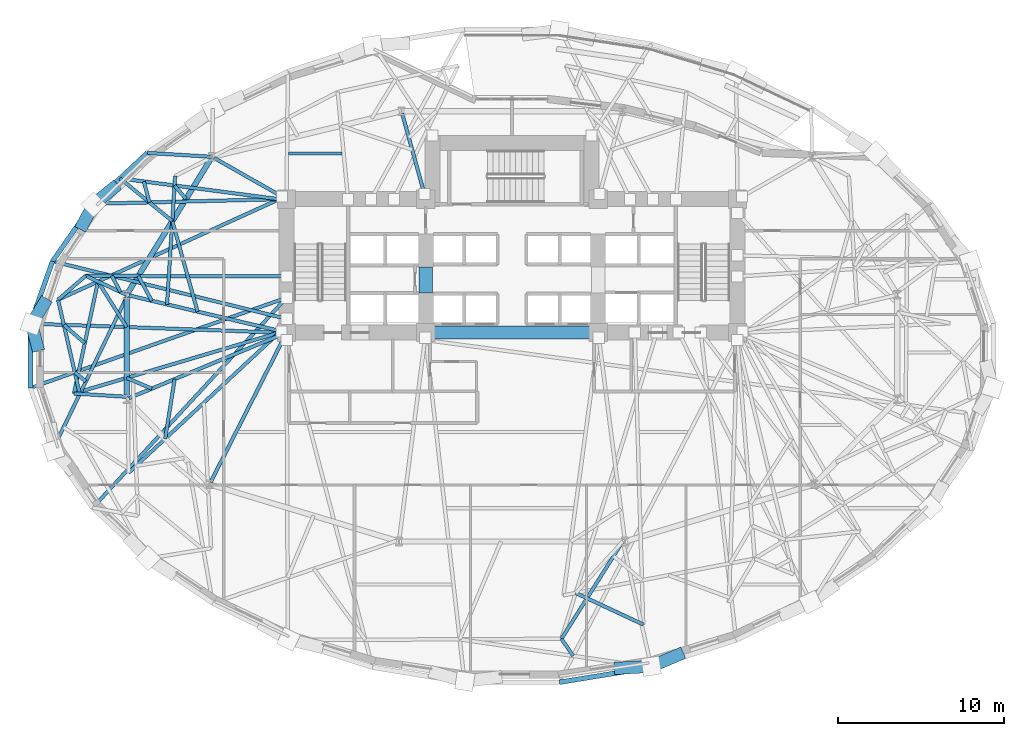
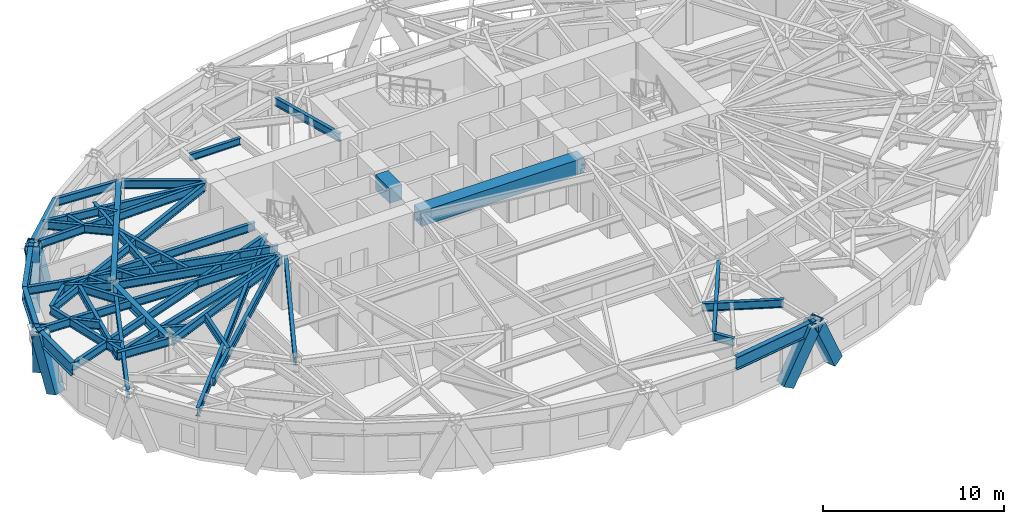
# One storey, part 2 of 15: 47 beams, 6 members.
"""IFC4 building model written with IfcOpenShell, lengths in metres."""

from ifc_helpers import new_model, si_unit, direction, frame, origin, origin_2d, place, context, subcontext, project, spatial, rectangle, hollow_rectangle, i_section, extrude, material, material_profile, profile_set, type_object, element, save


model = new_model("IFC4")

# Units and contexts
model_context = context("Model", 3, precision=1e-05, world=origin(), true_north=direction((0.0, 1.0)))
body_context = subcontext(model_context, "Body", "Model", "MODEL_VIEW")
ifc_project = project(units=[si_unit("LENGTHUNIT", "METRE"), si_unit("AREAUNIT", "SQUARE_METRE"), si_unit("VOLUMEUNIT", "CUBIC_METRE"), si_unit("PLANEANGLEUNIT", "RADIAN"), si_unit("MASSUNIT", "GRAM", prefix="KILO")], contexts=[model_context])

# Site, building, storey
site_placement = place(None, origin())
site = spatial("IfcSite", under=ifc_project, at=site_placement, CompositionType="ELEMENT")
building_placement = place(site_placement, origin())
building = spatial("IfcBuilding", under=site, at=building_placement, Name="Keldmark Tower", CompositionType="ELEMENT")
storey_placement = place(building_placement, frame((0.0, 0.0, 55.800048828125)))
storey = spatial("IfcBuildingStorey", under=building, at=storey_placement, Name="L14", CompositionType="ELEMENT", Elevation=55.800048828125)

# Beams
ifc_material_1 = material(Name="Steel ASTM A992 Grade 50", Category="steel")
ifc_material_profile_1 = material_profile(ifc_material_1, i_section(OverallWidth=0.19091796875, OverallDepth=0.45703125, WebThickness=0.009033203125, FlangeThickness=0.014404296875, at=origin_2d()), Name="W18X50")
ifc_profile_set_1 = profile_set([ifc_material_profile_1], Name="Steel ASTM A992 Grade 50")
beam_type_1 = type_object("IfcBeamType", Name="Composite Floor Joist W18X50", PredefinedType="JOIST", material=ifc_profile_set_1)
beam_1_placement = place(storey_placement, frame((-13.480224609375, 12.199951171875, 3.17138671875), z_axis=(1.0, 0.0, 0.0), x_axis=(0.0, 1.0, 0.0)))
element("IfcBeam", 1, at=beam_1_placement, inside=storey, type_object=beam_type_1, Name="L14 Composite Floor Joist J13", PredefinedType="JOIST", context=body_context, shape_type="SweptSolid", body=[
    extrude(i_section(OverallWidth=0.19091796875, OverallDepth=0.45703125, WebThickness=0.009033203125, FlangeThickness=0.014404296875, at=origin_2d()), origin(), (0.0, 0.0, 1.0), 3.225830078125),
])
ifc_material_2 = material(Name="Concrete C70/85", Category="concrete")
ifc_material_profile_2 = material_profile(ifc_material_2, rectangle(XDim=0.800048828125, YDim=1.0, at=origin_2d()), Name="RCB800X1000")
ifc_profile_set_2 = profile_set([ifc_material_profile_2], Name="Concrete C70/85")
beam_type_2 = type_object("IfcBeamType", Name="Core Coupling Beam RCB800X1000", PredefinedType="USERDEFINED", material=ifc_profile_set_2)
beam_2_placement = place(storey_placement, frame((-5.199951171875, 3.800048828125, 2.89990234375), z_axis=(0.0, 1.0, 0.0), x_axis=(-1.0, 0.0, 0.0)))
element("IfcBeam", 2, at=beam_2_placement, inside=storey, type_object=beam_type_2, Name="L14 West Core Coupling Beam", ObjectType="COUPLING BEAM", PredefinedType="USERDEFINED", context=body_context, shape_type="SweptSolid", body=[
    extrude(rectangle(XDim=0.800048828125, YDim=1.0, at=origin_2d()), origin(), (0.0, 0.0, 1.0), 1.550048828125),
])
beam_3_placement = place(storey_placement, frame((-5.199951171875, 1.39990234375, 2.89990234375), z_axis=(1.0, 0.0, 0.0), x_axis=(0.0, 1.0, 0.0)))
element("IfcBeam", 3, at=beam_3_placement, inside=storey, type_object=beam_type_2, Name="L14 Central South Core Coupling Beam", ObjectType="COUPLING BEAM", PredefinedType="USERDEFINED", context=body_context, shape_type="SweptSolid", body=[
    extrude(rectangle(XDim=0.800048828125, YDim=1.0, at=origin_2d()), origin(), (0.0, 0.0, 1.0), 10.39990234375),
])

# Members
ifc_material_3 = material(Name="Steel ASTM A572 Grade 50", Category="steel")
ifc_material_profile_3 = material_profile(ifc_material_3, hollow_rectangle(XDim=0.75, YDim=0.75, WallThickness=0.06494140625, at=origin_2d()), Name="BOX750X750X65")
ifc_profile_set_3 = profile_set([ifc_material_profile_3], Name="Steel ASTM A572 Grade 50")
member_type = type_object("IfcMemberType", Name="Diagrid Lower Brace BOX750X750X65", PredefinedType="BRACE", material=ifc_profile_set_3)
member_1_placement = place(storey_placement, frame((-24.06005859375, 10.116943359375, -0.280029296875), z_axis=(-0.308266331078, -0.253818310945, 0.916814121921), x_axis=(0.635635503745, -0.771989317529, 0.0)))
element("IfcMember", 4, at=member_1_placement, inside=storey, type_object=member_type, Name="L14 Perimeter Diagrid Brace 07A", PredefinedType="BRACE", context=body_context, shape_type="SweptSolid", body=[
    extrude(hollow_rectangle(XDim=0.75, YDim=0.75, WallThickness=0.06494140625, at=origin_2d()), origin(), (0.0, 0.0, 1.0), 3.883056640625),
])
member_2_placement = place(storey_placement, frame((-25.892578125, 7.9375, -0.280029296875), z_axis=(0.168418020672, 0.315703742171, 0.933791474309), x_axis=(-0.882303395469, 0.470681121721, 0.0)))
element("IfcMember", 5, at=member_2_placement, inside=storey, type_object=member_type, Name="L14 Perimeter Diagrid Brace 07B", PredefinedType="BRACE", context=body_context, shape_type="SweptSolid", body=[
    extrude(hollow_rectangle(XDim=0.75, YDim=0.75, WallThickness=0.06494140625, at=origin_2d()), origin(), (0.0, 0.0, 1.0), 3.8125),
])
member_3_placement = place(storey_placement, frame((-28.24560546875, 3.14453125, -0.280029296875), z_axis=(-0.19664564378, -0.31824540798, 0.927388996636), x_axis=(0.850699620762, -0.52565212378, 0.0)))
element("IfcMember", 6, at=member_3_placement, inside=storey, type_object=member_type, Name="L14 Perimeter Diagrid Brace 08A", PredefinedType="BRACE", context=body_context, shape_type="SweptSolid", body=[
    extrude(hollow_rectangle(XDim=0.75, YDim=0.75, WallThickness=0.06494140625, at=origin_2d()), origin(), (0.0, 0.0, 1.0), 3.8388671875),
])
member_4_placement = place(storey_placement, frame((-28.65380859375, 0.633056640625, -0.280029296875), z_axis=(-0.090509259011, 0.341895358277, 0.935369252232), x_axis=(-0.966699949317, -0.255912500654, 0.0)))
element("IfcMember", 7, at=member_4_placement, inside=storey, type_object=member_type, Name="L14 Perimeter Diagrid Brace 08B", PredefinedType="BRACE", context=body_context, shape_type="SweptSolid", body=[
    extrude(hollow_rectangle(XDim=0.75, YDim=0.75, WallThickness=0.06494140625, at=origin_2d()), origin(), (0.0, 0.0, 1.0), 3.80615234375),
])
member_5_placement = place(storey_placement, frame((6.494384765625, -18.8486328125, -0.280029296875), z_axis=(0.472761605962, 0.02712021989, 0.880772931919), x_axis=(-0.057271372546, 0.998358647925, 0.0)))
element("IfcMember", 8, at=member_5_placement, inside=storey, type_object=member_type, Name="L14 Perimeter Diagrid Brace 13A", PredefinedType="BRACE", context=body_context, shape_type="SweptSolid", body=[
    extrude(hollow_rectangle(XDim=0.75, YDim=0.75, WallThickness=0.06494140625, at=origin_2d()), origin(), (0.0, 0.0, 1.0), 4.0419921875),
])
member_6_placement = place(storey_placement, frame((10.026123046875, -18.052001953125, -0.280029296875), z_axis=(-0.410480286858, -0.173315263207, 0.895247314233), x_axis=(0.388974635717, -0.921248464188, 0.0)))
element("IfcMember", 9, at=member_6_placement, inside=storey, type_object=member_type, Name="L14 Perimeter Diagrid Brace 13B", PredefinedType="BRACE", context=body_context, shape_type="SweptSolid", body=[
    extrude(hollow_rectangle(XDim=0.75, YDim=0.75, WallThickness=0.06494140625, at=origin_2d()), origin(), (0.0, 0.0, 1.0), 3.9765625),
])

# Beams
ifc_material_4 = material(Name="Steel ASTM A992 Grade 50", Category="steel")
ifc_material_profile_4 = material_profile(ifc_material_4, i_section(OverallWidth=0.323974609375, OverallDepth=0.611083984375, WebThickness=0.0126953125, FlangeThickness=0.01904296875, at=origin_2d()), Name="W24X104")
ifc_profile_set_4 = profile_set([ifc_material_profile_4], Name="Steel ASTM A992 Grade 50")
beam_type_3 = type_object("IfcBeamType", Name="Primary Floor Girder W24X104", PredefinedType="BEAM", material=ifc_profile_set_4)
beam_4_placement = place(storey_placement, frame((-18.17138671875, 11.888427734375, 3.094482421875), z_axis=(-0.526318405849, -0.850287560573, 0.0), x_axis=(0.850287560573, -0.526318405849, 0.0)))
element("IfcBeam", 10, at=beam_4_placement, inside=storey, type_object=beam_type_3, Name="L14 Floor Ring Girder FG-R05", PredefinedType="BEAM", context=body_context, shape_type="SweptSolid", body=[
    extrude(i_section(OverallWidth=0.323974609375, OverallDepth=0.611083984375, WebThickness=0.0126953125, FlangeThickness=0.01904296875, at=origin_2d()), origin(), (0.0, 0.0, 1.0), 9.51708984375),
])
beam_5_placement = place(storey_placement, frame((-23.25390625, 3.537109375, 3.094482421875), z_axis=(0.0, -1.0, 0.0), x_axis=(1.0, 0.0, 0.0)))
element("IfcBeam", 11, at=beam_5_placement, inside=storey, type_object=beam_type_3, Name="L14 Floor Ring Girder FG-R06", PredefinedType="BEAM", context=body_context, shape_type="SweptSolid", body=[
    extrude(i_section(OverallWidth=0.323974609375, OverallDepth=0.611083984375, WebThickness=0.0126953125, FlangeThickness=0.01904296875, at=origin_2d()), origin(), (0.0, 0.0, 1.0), 6.01025390625),
])
ifc_material_5 = material(Name="Steel ASTM A992 Grade 50", Category="steel")
ifc_material_profile_5 = material_profile(ifc_material_5, i_section(OverallWidth=0.2099609375, OverallDepth=0.537109375, WebThickness=0.010986328125, FlangeThickness=0.017333984375, at=origin_2d()), Name="W21X68")
ifc_profile_set_5 = profile_set([ifc_material_profile_5], Name="Steel ASTM A992 Grade 50")
beam_type_4 = type_object("IfcBeamType", Name="Radial Tie Girder W21X68", PredefinedType="BEAM", material=ifc_profile_set_5)
beam_6_placement = place(storey_placement, frame((-18.974853515625, 2.66796875, 3.13134765625), z_axis=(-0.268585299903, 0.963255904044, 0.0), x_axis=(-0.963255904044, -0.268585299903, 0.0)))
element("IfcBeam", 12, at=beam_6_placement, inside=storey, type_object=beam_type_4, Name="L14 Framing Pin Header PH-006", PredefinedType="BEAM", context=body_context, shape_type="SweptSolid", body=[
    extrude(i_section(OverallWidth=0.2099609375, OverallDepth=0.537109375, WebThickness=0.010986328125, FlangeThickness=0.017333984375, at=origin_2d()), origin(), (0.0, 0.0, 1.0), 5.670166015625),
])
beam_7_placement = place(storey_placement, frame((-20.816162109375, 3.102294921875, 3.13134765625), z_axis=(0.063210769608, 0.998000199702, 0.0), x_axis=(-0.998000199702, 0.063210769608, 0.0)))
element("IfcBeam", 13, at=beam_7_placement, inside=storey, type_object=beam_type_4, Name="L14 Sub-Ring Step Girder STP1-M06", PredefinedType="BEAM", context=body_context, shape_type="SweptSolid", body=[
    extrude(i_section(OverallWidth=0.2099609375, OverallDepth=0.537109375, WebThickness=0.010986328125, FlangeThickness=0.017333984375, at=origin_2d()), origin(), (0.0, 0.0, 1.0), 7.759521484375),
])
beam_8_placement = place(storey_placement, frame((-18.09765625, 12.00732421875, 3.13134765625), z_axis=(-0.998169637289, 0.060476236613, 0.0), x_axis=(-0.060476236613, -0.998169637289, 0.0)))
element("IfcBeam", 14, at=beam_8_placement, inside=storey, type_object=beam_type_4, Name="L14 Perimeter Column Bracket RT-13", PredefinedType="BEAM", context=body_context, shape_type="SweptSolid", body=[
    extrude(i_section(OverallWidth=0.2099609375, OverallDepth=0.537109375, WebThickness=0.010986328125, FlangeThickness=0.017333984375, at=origin_2d()), origin(), (0.0, 0.0, 1.0), 3.915771484375),
])
beam_9_placement = place(storey_placement, frame((-19.674072265625, 9.460693359375, 3.13134765625), z_axis=(-0.644833331212, 0.764323213672, 0.0), x_axis=(-0.764323213672, -0.644833331212, 0.0)))
element("IfcBeam", 15, at=beam_9_placement, inside=storey, type_object=beam_type_4, Name="L14 Framing Pin Header PH-021", PredefinedType="BEAM", context=body_context, shape_type="SweptSolid", body=[
    extrude(i_section(OverallWidth=0.2099609375, OverallDepth=0.537109375, WebThickness=0.010986328125, FlangeThickness=0.017333984375, at=origin_2d()), origin(), (0.0, 0.0, 1.0), 1.066650390625),
])
beam_10_placement = place(storey_placement, frame((-14.050048828125, 9.449951171875, 3.13134765625), z_axis=(-0.991546779624, 0.129749696792, 0.0), x_axis=(-0.129749696792, -0.991546779624, 0.0)))
element("IfcBeam", 16, at=beam_10_placement, inside=storey, type_object=beam_type_4, Name="L14 Intermediate Radial Step Girder RT-14M", PredefinedType="BEAM", context=body_context, shape_type="SweptSolid", body=[
    extrude(i_section(OverallWidth=0.2099609375, OverallDepth=0.537109375, WebThickness=0.010986328125, FlangeThickness=0.017333984375, at=origin_2d()), origin(), (0.0, 0.0, 1.0), 9.6865234375),
])
beam_11_placement = place(storey_placement, frame((-20.497802734375, 8.1298828125, 3.13134765625), z_axis=(-0.77468815192, 0.632343472548, 0.0), x_axis=(-0.632343472548, -0.77468815192, 0.0)))
element("IfcBeam", 17, at=beam_11_placement, inside=storey, type_object=beam_type_4, Name="L14 Local Collector Chord RT-14C", PredefinedType="BEAM", context=body_context, shape_type="SweptSolid", body=[
    extrude(i_section(OverallWidth=0.2099609375, OverallDepth=0.537109375, WebThickness=0.010986328125, FlangeThickness=0.017333984375, at=origin_2d()), origin(), (0.0, 0.0, 1.0), 4.0751953125),
])
beam_12_placement = place(storey_placement, frame((-22.214111328125, 10.518310546875, 3.13134765625), z_axis=(0.258359714139, -0.96604878661, 0.0), x_axis=(0.96604878661, 0.258359714139, 0.0)))
element("IfcBeam", 18, at=beam_12_placement, inside=storey, type_object=beam_type_4, Name="L14 Framing Pin Header PH-022", PredefinedType="BEAM", context=body_context, shape_type="SweptSolid", body=[
    extrude(i_section(OverallWidth=0.2099609375, OverallDepth=0.537109375, WebThickness=0.010986328125, FlangeThickness=0.017333984375, at=origin_2d()), origin(), (0.0, 0.0, 1.0), 1.307861328125),
])
beam_13_placement = place(storey_placement, frame((-14.050048828125, 9.449951171875, 3.13134765625), z_axis=(-0.999689459012, -0.024919581473, 0.0), x_axis=(0.024919581473, -0.999689459012, 0.0)))
element("IfcBeam", 19, at=beam_13_placement, inside=storey, type_object=beam_type_4, Name="L14 Perimeter Radial Tie Girder RT-14", PredefinedType="BEAM", context=body_context, shape_type="SweptSolid", body=[
    extrude(i_section(OverallWidth=0.2099609375, OverallDepth=0.537109375, WebThickness=0.010986328125, FlangeThickness=0.017333984375, at=origin_2d()), origin(), (0.0, 0.0, 1.0), 11.2568359375),
])
beam_14_placement = place(storey_placement, frame((-21.73681640625, 3.3193359375, 3.13134765625), z_axis=(-0.476781814176, 0.879021673038, 0.0), x_axis=(-0.879021673038, -0.476781814176, 0.0)))
element("IfcBeam", 20, at=beam_14_placement, inside=storey, type_object=beam_type_4, Name="L14 Framing Pin Header PH-023", PredefinedType="BEAM", context=body_context, shape_type="SweptSolid", body=[
    extrude(i_section(OverallWidth=0.2099609375, OverallDepth=0.537109375, WebThickness=0.010986328125, FlangeThickness=0.017333984375, at=origin_2d()), origin(), (0.0, 0.0, 1.0), 1.703125),
])
beam_15_placement = place(storey_placement, frame((-13.60009765625, 4.78564453125, 3.13134765625), z_axis=(-0.999994076509, 0.003441939314, 0.0), x_axis=(-0.003441939314, -0.999994076509, 0.0)))
element("IfcBeam", 21, at=beam_15_placement, inside=storey, type_object=beam_type_4, Name="L14 Intermediate Radial Step Girder RT-15M", PredefinedType="BEAM", context=body_context, shape_type="SweptSolid", body=[
    extrude(i_section(OverallWidth=0.2099609375, OverallDepth=0.537109375, WebThickness=0.010986328125, FlangeThickness=0.017333984375, at=origin_2d()), origin(), (0.0, 0.0, 1.0), 12.129150390625),
])
beam_16_placement = place(storey_placement, frame((-23.25390625, 3.67724609375, 3.13134765625), z_axis=(-0.906885695278, 0.421376714711, 0.0), x_axis=(-0.421376714711, -0.906885695278, 0.0)))
element("IfcBeam", 22, at=beam_16_placement, inside=storey, type_object=beam_type_4, Name="L14 Local Collector Chord RT-15C", PredefinedType="BEAM", context=body_context, shape_type="SweptSolid", body=[
    extrude(i_section(OverallWidth=0.2099609375, OverallDepth=0.537109375, WebThickness=0.010986328125, FlangeThickness=0.017333984375, at=origin_2d()), origin(), (0.0, 0.0, 1.0), 2.7294921875),
])
beam_17_placement = place(storey_placement, frame((-23.625244140625, 3.849609375, 3.13134765625), z_axis=(-0.47277999729, 0.88118050033, 0.0), x_axis=(-0.88118050033, -0.47277999729, 0.0)))
element("IfcBeam", 23, at=beam_17_placement, inside=storey, type_object=beam_type_4, Name="L14 Framing Pin Header PH-024", PredefinedType="BEAM", context=body_context, shape_type="SweptSolid", body=[
    extrude(i_section(OverallWidth=0.2099609375, OverallDepth=0.537109375, WebThickness=0.010986328125, FlangeThickness=0.017333984375, at=origin_2d()), origin(), (0.0, 0.0, 1.0), 1.103515625),
])
beam_18_placement = place(storey_placement, frame((-13.60009765625, 2.228515625, 3.13134765625), z_axis=(-0.971074946273, 0.238774891313, 0.0), x_axis=(-0.238774891313, -0.971074946273, 0.0)))
element("IfcBeam", 24, at=beam_18_placement, inside=storey, type_object=beam_type_4, Name="L14 Perimeter Radial Tie Girder RT-15", PredefinedType="BEAM", context=body_context, shape_type="SweptSolid", body=[
    extrude(i_section(OverallWidth=0.2099609375, OverallDepth=0.537109375, WebThickness=0.010986328125, FlangeThickness=0.017333984375, at=origin_2d()), origin(), (0.0, 0.0, 1.0), 14.548828125),
])
beam_19_placement = place(storey_placement, frame((-23.25390625, 1.734130859375, 3.13134765625), z_axis=(-0.532593721617, 0.846371034296, 0.0), x_axis=(-0.846371034296, -0.532593721617, 0.0)))
element("IfcBeam", 25, at=beam_19_placement, inside=storey, type_object=beam_type_4, Name="L14 Framing Pin Header PH-025", PredefinedType="BEAM", context=body_context, shape_type="SweptSolid", body=[
    extrude(i_section(OverallWidth=0.2099609375, OverallDepth=0.537109375, WebThickness=0.010986328125, FlangeThickness=0.017333984375, at=origin_2d()), origin(), (0.0, 0.0, 1.0), 3.24462890625),
])
beam_20_placement = place(storey_placement, frame((-14.050048828125, 9.449951171875, 3.13134765625), z_axis=(-0.910342518444, -0.413855650092, 0.0), x_axis=(0.413855650092, -0.910342518444, 0.0)))
element("IfcBeam", 26, at=beam_20_placement, inside=storey, type_object=beam_type_4, Name="L14 Intermediate Radial Step Girder RT-16M", PredefinedType="BEAM", context=body_context, shape_type="SweptSolid", body=[
    extrude(i_section(OverallWidth=0.2099609375, OverallDepth=0.537109375, WebThickness=0.010986328125, FlangeThickness=0.017333984375, at=origin_2d()), origin(), (0.0, 0.0, 1.0), 14.65771484375),
])
beam_21_placement = place(storey_placement, frame((-25.729248046875, 4.827392578125, 3.13134765625), z_axis=(-0.755418452351, -0.655242674013, 0.0), x_axis=(0.655242674013, -0.755418452351, 0.0)))
element("IfcBeam", 27, at=beam_21_placement, inside=storey, type_object=beam_type_4, Name="L14 Local Collector Chord RT-16C", PredefinedType="BEAM", context=body_context, shape_type="SweptSolid", body=[
    extrude(i_section(OverallWidth=0.2099609375, OverallDepth=0.537109375, WebThickness=0.010986328125, FlangeThickness=0.017333984375, at=origin_2d()), origin(), (0.0, 0.0, 1.0), 2.203125),
])
beam_22_placement = place(storey_placement, frame((-21.740234375, -1.98388671875, 3.13134765625), z_axis=(-0.918722953971, 0.394902689086, 0.0), x_axis=(-0.394902689086, -0.918722953971, 0.0)))
element("IfcBeam", 28, at=beam_22_placement, inside=storey, type_object=beam_type_4, Name="L14 Framing Pin Header PH-026", PredefinedType="BEAM", context=body_context, shape_type="SweptSolid", body=[
    extrude(i_section(OverallWidth=0.2099609375, OverallDepth=0.537109375, WebThickness=0.010986328125, FlangeThickness=0.017333984375, at=origin_2d()), origin(), (0.0, 0.0, 1.0), 1.6474609375),
])
beam_23_placement = place(storey_placement, frame((-14.050048828125, 1.39990234375, 3.13134765625), z_axis=(-0.958626879036, -0.28466560521, 0.0), x_axis=(0.28466560521, -0.958626879036, 0.0)))
element("IfcBeam", 29, at=beam_23_placement, inside=storey, type_object=beam_type_4, Name="L14 Intermediate Radial Step Girder RT-17M", PredefinedType="BEAM", context=body_context, shape_type="SweptSolid", body=[
    extrude(i_section(OverallWidth=0.2099609375, OverallDepth=0.537109375, WebThickness=0.010986328125, FlangeThickness=0.017333984375, at=origin_2d()), origin(), (0.0, 0.0, 1.0), 12.915283203125),
])
beam_24_placement = place(storey_placement, frame((-23.25390625, -2.47314453125, 3.13134765625), z_axis=(-0.998092069219, 0.06174318879, 0.0), x_axis=(-0.06174318879, -0.998092069219, 0.0)))
element("IfcBeam", 30, at=beam_24_placement, inside=storey, type_object=beam_type_4, Name="L14 Local Collector Chord RT-17C", PredefinedType="BEAM", context=body_context, shape_type="SweptSolid", body=[
    extrude(i_section(OverallWidth=0.2099609375, OverallDepth=0.537109375, WebThickness=0.010986328125, FlangeThickness=0.017333984375, at=origin_2d()), origin(), (0.0, 0.0, 1.0), 3.18310546875),
])
beam_25_placement = place(storey_placement, frame((-27.3935546875, 3.3837890625, 3.13134765625), z_axis=(0.225259999888, -0.974298687493, 0.0), x_axis=(0.974298687493, 0.225259999888, 0.0)))
element("IfcBeam", 31, at=beam_25_placement, inside=storey, type_object=beam_type_4, Name="L14 Framing Pin Header PH-027", PredefinedType="BEAM", context=body_context, shape_type="SweptSolid", body=[
    extrude(i_section(OverallWidth=0.2099609375, OverallDepth=0.537109375, WebThickness=0.010986328125, FlangeThickness=0.017333984375, at=origin_2d()), origin(), (0.0, 0.0, 1.0), 5.83203125),
])
beam_26_placement = place(storey_placement, frame((-23.25390625, 3.537109375, 3.13134765625), z_axis=(-0.435828827215, -0.900029573608, 0.0), x_axis=(0.900029573608, -0.435828827215, 0.0)))
element("IfcBeam", 32, at=beam_26_placement, inside=storey, type_object=beam_type_4, Name="L14 Perimeter Radial Tie Girder RT-18", PredefinedType="BEAM", context=body_context, shape_type="SweptSolid", body=[
    extrude(i_section(OverallWidth=0.2099609375, OverallDepth=0.537109375, WebThickness=0.010986328125, FlangeThickness=0.017333984375, at=origin_2d()), origin(), (0.0, 0.0, 1.0), 10.265869140625),
])
beam_27_placement = place(storey_placement, frame((-20.35595703125, -1.408447265625, 3.13134765625), z_axis=(-0.157002113797, -0.987598266636, 0.0), x_axis=(0.987598266636, -0.157002113797, 0.0)))
element("IfcBeam", 33, at=beam_27_placement, inside=storey, type_object=beam_type_4, Name="L14 Framing Pin Header PH-028", PredefinedType="BEAM", context=body_context, shape_type="SweptSolid", body=[
    extrude(i_section(OverallWidth=0.2099609375, OverallDepth=0.537109375, WebThickness=0.010986328125, FlangeThickness=0.017333984375, at=origin_2d()), origin(), (0.0, 0.0, 1.0), 3.641845703125),
])
beam_28_placement = place(storey_placement, frame((-14.050048828125, 1.39990234375, 3.13134765625), z_axis=(-0.73181249228, -0.681506035295, 0.0), x_axis=(0.681506035295, -0.73181249228, 0.0)))
element("IfcBeam", 34, at=beam_28_placement, inside=storey, type_object=beam_type_4, Name="L14 Intermediate Radial Step Girder RT-19M", PredefinedType="BEAM", context=body_context, shape_type="SweptSolid", body=[
    extrude(i_section(OverallWidth=0.2099609375, OverallDepth=0.537109375, WebThickness=0.010986328125, FlangeThickness=0.017333984375, at=origin_2d()), origin(), (0.0, 0.0, 1.0), 12.4189453125),
])
beam_29_placement = place(storey_placement, frame((-13.60009765625, 3.507080078125, 3.13134765625), z_axis=(-0.678341811833, -0.734746477582, 0.0), x_axis=(0.734746477582, -0.678341811833, 0.0)))
element("IfcBeam", 35, at=beam_29_placement, inside=storey, type_object=beam_type_4, Name="L14 Perimeter Radial Tie Girder RT-19", PredefinedType="BEAM", context=body_context, shape_type="SweptSolid", body=[
    extrude(i_section(OverallWidth=0.2099609375, OverallDepth=0.537109375, WebThickness=0.010986328125, FlangeThickness=0.017333984375, at=origin_2d()), origin(), (0.0, 0.0, 1.0), 17.2529296875),
])
beam_30_placement = place(storey_placement, frame((6.68212890625, -11.205810546875, 3.13134765625), z_axis=(-0.532917771067, -0.846167033913, 0.0), x_axis=(0.846167033913, -0.532917771067, 0.0)))
element("IfcBeam", 36, at=beam_30_placement, inside=storey, type_object=beam_type_4, Name="L14 Local Collector Chord RT-25C", PredefinedType="BEAM", context=body_context, shape_type="SweptSolid", body=[
    extrude(i_section(OverallWidth=0.2099609375, OverallDepth=0.537109375, WebThickness=0.010986328125, FlangeThickness=0.017333984375, at=origin_2d()), origin(), (0.0, 0.0, 1.0), 6.939697265625),
])
beam_31_placement = place(storey_placement, frame((3.84423828125, -14.31396484375, 3.13134765625), z_axis=(0.906209522314, -0.422828927188, 0.0), x_axis=(0.422828927188, 0.906209522314, 0.0)))
element("IfcBeam", 37, at=beam_31_placement, inside=storey, type_object=beam_type_4, Name="L14 Local Collector Chord RT-26C", PredefinedType="BEAM", context=body_context, shape_type="SweptSolid", body=[
    extrude(i_section(OverallWidth=0.2099609375, OverallDepth=0.537109375, WebThickness=0.010986328125, FlangeThickness=0.017333984375, at=origin_2d()), origin(), (0.0, 0.0, 1.0), 4.49169921875),
])
beam_32_placement = place(storey_placement, frame((-24.98193359375, 4.480224609375, 3.13134765625), z_axis=(-0.209678675191, -0.977770347868, 0.0), x_axis=(0.977770347868, -0.209678675191, 0.0)))
element("IfcBeam", 38, at=beam_32_placement, inside=storey, type_object=beam_type_4, Name="L14 Straddling Support Chord RT-16RB", PredefinedType="BEAM", context=body_context, shape_type="SweptSolid", body=[
    extrude(i_section(OverallWidth=0.2099609375, OverallDepth=0.537109375, WebThickness=0.010986328125, FlangeThickness=0.017333984375, at=origin_2d()), origin(), (0.0, 0.0, 1.0), 6.910400390625),
])
beam_33_placement = place(storey_placement, frame((-25.779052734375, 0.763916015625, 3.13134765625), z_axis=(-0.753207117962, 0.657783427467, 0.0), x_axis=(-0.657783427467, -0.753207117962, 0.0)))
element("IfcBeam", 39, at=beam_33_placement, inside=storey, type_object=beam_type_4, Name="L14 Framing Pin Header PH-047", PredefinedType="BEAM", context=body_context, shape_type="SweptSolid", body=[
    extrude(i_section(OverallWidth=0.2099609375, OverallDepth=0.537109375, WebThickness=0.010986328125, FlangeThickness=0.017333984375, at=origin_2d()), origin(), (0.0, 0.0, 1.0), 1.678466796875),
])
beam_34_placement = place(storey_placement, frame((-14.050048828125, 1.39990234375, 3.13134765625), z_axis=(-0.999352645542, 0.03597624005, 0.0), x_axis=(-0.03597624005, -0.999352645542, 0.0)))
element("IfcBeam", 40, at=beam_34_placement, inside=storey, type_object=beam_type_4, Name="L14 Perimeter Radial Tie Girder RT-16R", PredefinedType="BEAM", context=body_context, shape_type="SweptSolid", body=[
    extrude(i_section(OverallWidth=0.2099609375, OverallDepth=0.537109375, WebThickness=0.010986328125, FlangeThickness=0.017333984375, at=origin_2d()), origin(), (0.0, 0.0, 1.0), 15.017822265625),
])
beam_35_placement = place(storey_placement, frame((-25.71484375, -1.544677734375, 3.13134765625), z_axis=(-0.772175388299, 0.635409450437, 0.0), x_axis=(-0.635409450437, -0.772175388299, 0.0)))
element("IfcBeam", 41, at=beam_35_placement, inside=storey, type_object=beam_type_4, Name="L14 Framing Pin Header PH-048", PredefinedType="BEAM", context=body_context, shape_type="SweptSolid", body=[
    extrude(i_section(OverallWidth=0.2099609375, OverallDepth=0.537109375, WebThickness=0.010986328125, FlangeThickness=0.017333984375, at=origin_2d()), origin(), (0.0, 0.0, 1.0), 0.8623046875),
])
beam_36_placement = place(storey_placement, frame((-13.60009765625, 3.507080078125, 3.13134765625), z_axis=(-0.943153022223, -0.332358807123, 0.0), x_axis=(0.332358807123, -0.943153022223, 0.0)))
element("IfcBeam", 42, at=beam_36_placement, inside=storey, type_object=beam_type_4, Name="L14 Perimeter Radial Tie Girder RT-17R", PredefinedType="BEAM", context=body_context, shape_type="SweptSolid", body=[
    extrude(i_section(OverallWidth=0.2099609375, OverallDepth=0.537109375, WebThickness=0.010986328125, FlangeThickness=0.017333984375, at=origin_2d()), origin(), (0.0, 0.0, 1.0), 16.3896484375),
])
beam_37_placement = place(storey_placement, frame((2.98388671875, -17.077880859375, 3.13134765625), z_axis=(0.565391572412, -0.824822629324, 0.0), x_axis=(0.824822629324, 0.565391572412, 0.0)))
element("IfcBeam", 43, at=beam_37_placement, inside=storey, type_object=beam_type_4, Name="L14 Framing Pin Header PH-052", PredefinedType="BEAM", context=body_context, shape_type="SweptSolid", body=[
    extrude(i_section(OverallWidth=0.2099609375, OverallDepth=0.537109375, WebThickness=0.010986328125, FlangeThickness=0.017333984375, at=origin_2d()), origin(), (0.0, 0.0, 1.0), 1.248779296875),
])
ifc_material_6 = material(Name="Steel ASTM A992 Grade 50", Category="steel")
ifc_material_profile_6 = material_profile(ifc_material_6, i_section(OverallWidth=0.214111328125, OverallDepth=0.549072265625, WebThickness=0.0146484375, FlangeThickness=0.023681640625, at=origin_2d()), Name="W21X93")
ifc_profile_set_6 = profile_set([ifc_material_profile_6], Name="Steel ASTM A992 Grade 50")
beam_type_5 = type_object("IfcBeamType", Name="Radial Tie Girder W21X93", PredefinedType="BEAM", material=ifc_profile_set_6)
beam_38_placement = place(storey_placement, frame((-6.6279296875, 14.625, 3.12548828125), z_axis=(0.265984786353, -0.963977226613, 0.0), x_axis=(0.963977226613, 0.265984786353, 0.0)))
element("IfcBeam", 44, at=beam_38_placement, inside=storey, type_object=beam_type_5, Name="L14 Floor Radial Girder FG-C04", PredefinedType="BEAM", context=body_context, shape_type="SweptSolid", body=[
    extrude(i_section(OverallWidth=0.214111328125, OverallDepth=0.549072265625, WebThickness=0.0146484375, FlangeThickness=0.023681640625, at=origin_2d()), origin(), (0.0, 0.0, 1.0), 5.04833984375),
])
beam_39_placement = place(storey_placement, frame((-17.97607421875, 11.938232421875, 3.12548828125), z_axis=(0.869299282131, -0.494286109542, 0.0), x_axis=(0.494286109542, 0.869299282131, 0.0)))
element("IfcBeam", 45, at=beam_39_placement, inside=storey, type_object=beam_type_5, Name="L14 Floor Radial Girder FG-C05", PredefinedType="BEAM", context=body_context, shape_type="SweptSolid", body=[
    extrude(i_section(OverallWidth=0.214111328125, OverallDepth=0.549072265625, WebThickness=0.0146484375, FlangeThickness=0.023681640625, at=origin_2d()), origin(), (0.0, 0.0, 1.0), 4.714111328125),
])
beam_40_placement = place(storey_placement, frame((-23.11767578125, 3.64501953125, 3.12548828125), z_axis=(0.973287364179, -0.229590301909, 0.0), x_axis=(0.229590301909, 0.973287364179, 0.0)))
element("IfcBeam", 46, at=beam_40_placement, inside=storey, type_object=beam_type_5, Name="L14 Floor Radial Girder FG-C06", PredefinedType="BEAM", context=body_context, shape_type="SweptSolid", body=[
    extrude(i_section(OverallWidth=0.214111328125, OverallDepth=0.549072265625, WebThickness=0.0146484375, FlangeThickness=0.023681640625, at=origin_2d()), origin(), (0.0, 0.0, 1.0), 9.458740234375),
])
beam_41_placement = place(storey_placement, frame((-23.124755859375, -2.5595703125, 3.12548828125), z_axis=(0.923390978102, 0.383860784088, 0.0), x_axis=(-0.383860784088, 0.923390978102, 0.0)))
element("IfcBeam", 47, at=beam_41_placement, inside=storey, type_object=beam_type_5, Name="L14 Floor Radial Girder FG-C07", PredefinedType="BEAM", context=body_context, shape_type="SweptSolid", body=[
    extrude(i_section(OverallWidth=0.214111328125, OverallDepth=0.549072265625, WebThickness=0.0146484375, FlangeThickness=0.023681640625, at=origin_2d()), origin(), (0.0, 0.0, 1.0), 9.994873046875),
])
beam_42_placement = place(storey_placement, frame((-18.189453125, -7.630859375, 3.12548828125), z_axis=(0.453037526986, 0.891491446478, 0.0), x_axis=(-0.891491446478, 0.453037526986, 0.0)))
element("IfcBeam", 48, at=beam_42_placement, inside=storey, type_object=beam_type_5, Name="L14 Floor Radial Girder FG-C08", PredefinedType="BEAM", context=body_context, shape_type="SweptSolid", body=[
    extrude(i_section(OverallWidth=0.214111328125, OverallDepth=0.549072265625, WebThickness=0.0146484375, FlangeThickness=0.023681640625, at=origin_2d()), origin(), (0.0, 0.0, 1.0), 9.81005859375),
])
ifc_material_7 = material(Name="Steel ASTM A992 Grade 50", Category="steel")
ifc_material_profile_7 = material_profile(ifc_material_7, i_section(OverallWidth=0.2919921875, OverallDepth=0.85888671875, WebThickness=0.01708984375, FlangeThickness=0.031005859375, at=origin_2d()), Name="W33X169")
ifc_profile_set_7 = profile_set([ifc_material_profile_7], Name="Steel ASTM A992 Grade 50")
beam_type_6 = type_object("IfcBeamType", Name="Spandrel Ring Beam W33X169", PredefinedType="SPANDREL", material=ifc_profile_set_7)
beam_43_placement = place(storey_placement, frame((-22.00634765625, 12.244140625, 2.970458984375), z_axis=(-0.731343335822, -0.682009475849, 0.0), x_axis=(0.682009475849, -0.731343335822, 0.0)))
element("IfcBeam", 49, at=beam_43_placement, inside=storey, type_object=beam_type_6, Name="L14 Perimeter Spandrel Ring Beam SRB-13", PredefinedType="SPANDREL", context=body_context, shape_type="SweptSolid", body=[
    extrude(i_section(OverallWidth=0.2919921875, OverallDepth=0.85888671875, WebThickness=0.01708984375, FlangeThickness=0.031005859375, at=origin_2d()), origin(), (0.0, 0.0, 1.0), 4.50830078125),
])
beam_44_placement = place(storey_placement, frame((-25.303466796875, 9.16943359375, 2.970458984375), z_axis=(-0.573086608679, -0.819494807154, 0.0), x_axis=(0.819494807154, -0.573086608679, 0.0)))
element("IfcBeam", 50, at=beam_44_placement, inside=storey, type_object=beam_type_6, Name="L14 Perimeter Spandrel Ring Beam SRB-14", PredefinedType="SPANDREL", context=body_context, shape_type="SweptSolid", body=[
    extrude(i_section(OverallWidth=0.2919921875, OverallDepth=0.85888671875, WebThickness=0.01708984375, FlangeThickness=0.031005859375, at=origin_2d()), origin(), (0.0, 0.0, 1.0), 4.230712890625),
])
beam_45_placement = place(storey_placement, frame((-27.72802734375, 5.702392578125, 2.970458984375), z_axis=(-0.333319315882, -0.942813997382, 0.0), x_axis=(0.942813997382, -0.333319315882, 0.0)))
element("IfcBeam", 51, at=beam_45_placement, inside=storey, type_object=beam_type_6, Name="L14 Perimeter Spandrel Ring Beam SRB-15", PredefinedType="SPANDREL", context=body_context, shape_type="SweptSolid", body=[
    extrude(i_section(OverallWidth=0.2919921875, OverallDepth=0.85888671875, WebThickness=0.01708984375, FlangeThickness=0.031005859375, at=origin_2d()), origin(), (0.0, 0.0, 1.0), 3.990478515625),
])
beam_46_placement = place(storey_placement, frame((-29.05810546875, 1.940185546875, 2.970458984375), z_axis=(0.0, -1.0, 0.0), x_axis=(1.0, 0.0, 0.0)))
element("IfcBeam", 52, at=beam_46_placement, inside=storey, type_object=beam_type_6, Name="L14 Perimeter Spandrel Ring Beam SRB-16", PredefinedType="SPANDREL", context=body_context, shape_type="SweptSolid", body=[
    extrude(i_section(OverallWidth=0.2919921875, OverallDepth=0.85888671875, WebThickness=0.01708984375, FlangeThickness=0.031005859375, at=origin_2d()), origin(), (0.0, 0.0, 1.0), 3.88037109375),
])
beam_47_placement = place(storey_placement, frame((2.862060546875, -19.7001953125, 2.970458984375), z_axis=(0.987055914284, 0.16037650101, 0.0), x_axis=(-0.16037650101, 0.987055914284, 0.0)))
element("IfcBeam", 53, at=beam_47_placement, inside=storey, type_object=beam_type_6, Name="L14 Perimeter Spandrel Ring Beam SRB-25", PredefinedType="SPANDREL", context=body_context, shape_type="SweptSolid", body=[
    extrude(i_section(OverallWidth=0.2919921875, OverallDepth=0.85888671875, WebThickness=0.01708984375, FlangeThickness=0.031005859375, at=origin_2d()), origin(), (0.0, 0.0, 1.0), 5.621826171875),
])

save(model, "model.ifc")
